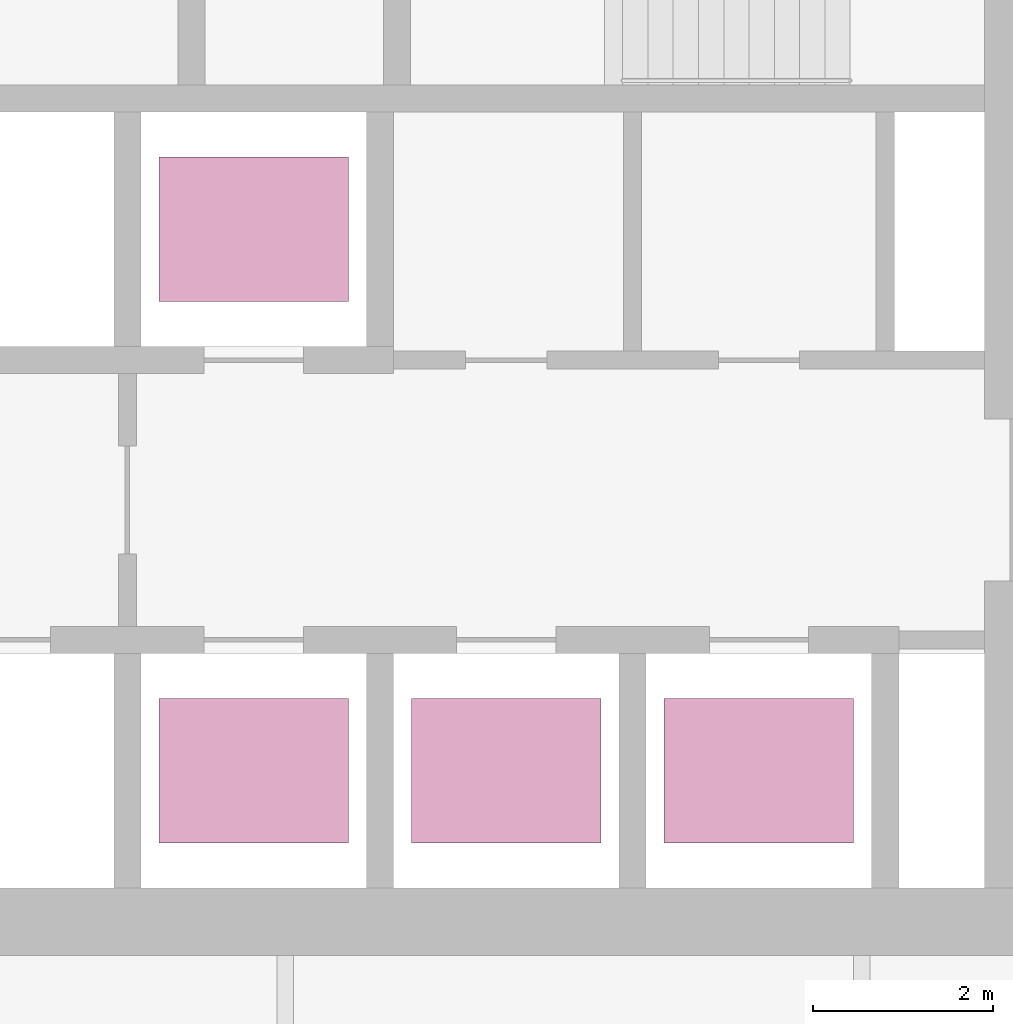
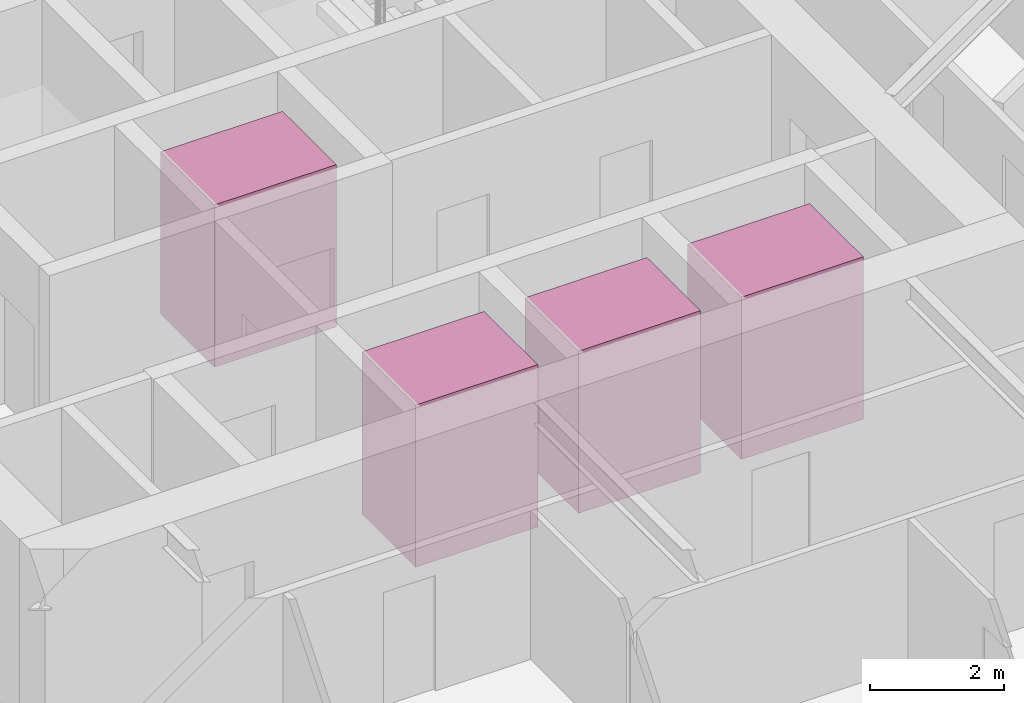
# One storey, part 21 of 21: 4 transport elements.
"""IFC4 building model written with IfcOpenShell, lengths in metres."""

from ifc_helpers import new_model, si_unit, direction, frame, origin, origin_2d, place, context, subcontext, project, spatial, rectangle, extrude, material, type_object, element, save


model = new_model("IFC4")

# Units and contexts
model_context = context("Model", 3, precision=1e-05, world=origin(), true_north=direction((0.0, 1.0)))
body_context = subcontext(model_context, "Body", "Model", "MODEL_VIEW")
ifc_project = project(units=[si_unit("LENGTHUNIT", "METRE"), si_unit("AREAUNIT", "SQUARE_METRE"), si_unit("VOLUMEUNIT", "CUBIC_METRE"), si_unit("PLANEANGLEUNIT", "RADIAN"), si_unit("MASSUNIT", "GRAM", prefix="KILO")], contexts=[model_context])

# Site, building, storey
site_placement = place(None, origin())
site = spatial("IfcSite", under=ifc_project, at=site_placement, CompositionType="ELEMENT")
building_placement = place(site_placement, origin())
building = spatial("IfcBuilding", under=site, at=building_placement, Name="Firuza Gate Tower and Library", CompositionType="ELEMENT")
storey_placement = place(building_placement, frame((0.0, 0.0, 284.60009765625)))
storey = spatial("IfcBuildingStorey", under=building, at=storey_placement, Name="L68", CompositionType="ELEMENT", Elevation=284.60009765625)

# Transport elements
ifc_material = material(Name="Stainless steel and glass", Category="steel")
transport_element_type = type_object("IfcTransportElementType", Name="High-rise lift car 2100x1600", PredefinedType="ELEVATOR", material=ifc_material)
for number, where, z_axis, x_axis, name in (
    (1, (74.64990234375, 70.300048828125, 0.0), (0.0, 0.0, 1.0), (1.0, 0.0, 0.0), "High-rise lift HR1"),
    (2, (77.449951171875, 70.300048828125, 0.0), (0.0, 0.0, 1.0), (1.0, 0.0, 0.0), "High-rise lift HR2"),
    (3, (80.25, 70.300048828125, 0.0), (0.0, 0.0, 1.0), (1.0, 0.0, 0.0), "High-rise lift HR3"),
    (4, (74.64990234375, 76.300048828125, 0.0), (0.0, 0.0, 1.0), (1.0, 0.0, 0.0), "High-rise lift HR4"),
):
    element("IfcTransportElement", number, at=place(storey_placement, frame(where, z_axis=z_axis, x_axis=x_axis)), inside=storey, type_object=transport_element_type, Name=name, PredefinedType="ELEVATOR", context=body_context, shape_type="SweptSolid", body=[
        extrude(rectangle(XDim=2.10009765625, YDim=1.60009765625, at=origin_2d()), origin(), (0.0, 0.0, 1.0), 2.949951171875),
    ])

save(model, "model.ifc")
